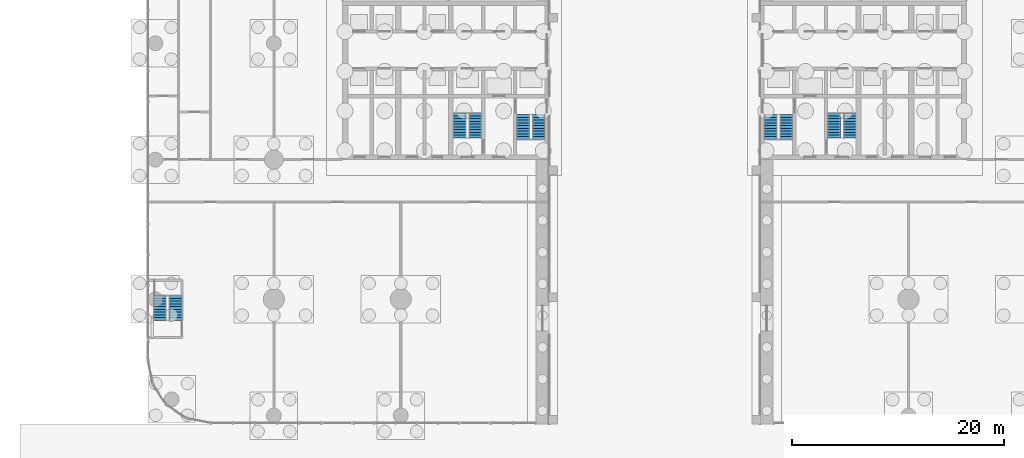
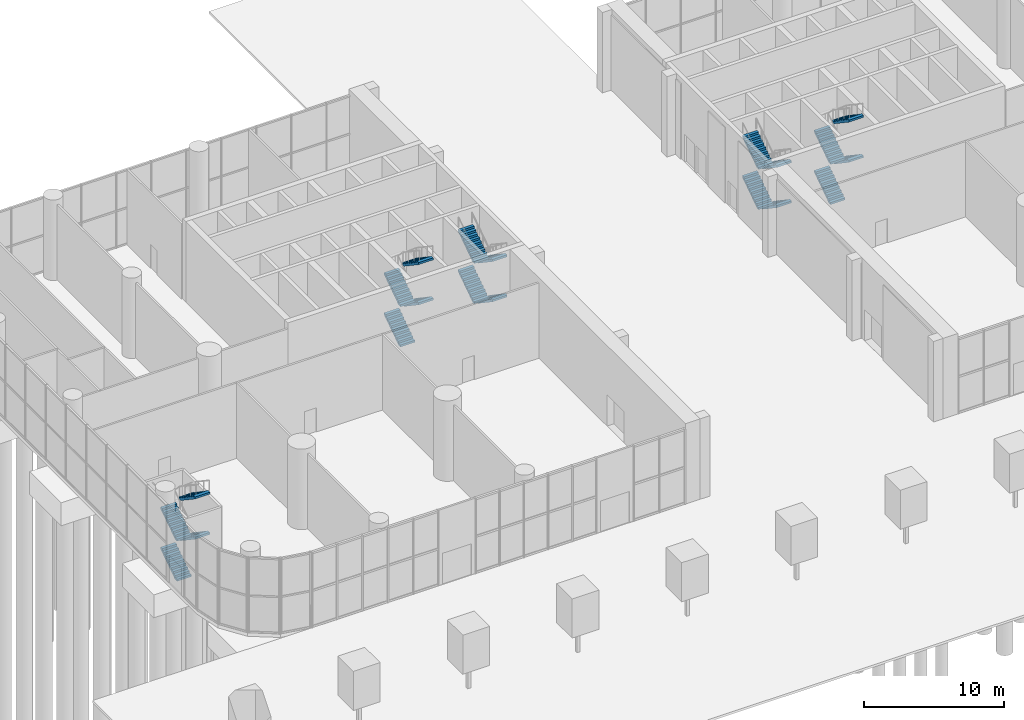
# One storey, part 22 of 26: 20 stair flights, 5 elements without a shape of their own.
"""IFC4 building model written with IfcOpenShell, lengths in metres."""

from ifc_helpers import new_model, si_unit, direction, frame, origin, place, context, subcontext, project, spatial, polyline, outline, extrude, material, type_object, element, aggregate, save


model = new_model("IFC4")

# Units and contexts
model_context = context("Model", 3, precision=1e-05, world=origin(), true_north=direction((0.0, 1.0)))
body_context = subcontext(model_context, "Body", "Model", "MODEL_VIEW")
ifc_project = project(units=[si_unit("LENGTHUNIT", "METRE"), si_unit("AREAUNIT", "SQUARE_METRE"), si_unit("VOLUMEUNIT", "CUBIC_METRE"), si_unit("PLANEANGLEUNIT", "RADIAN"), si_unit("MASSUNIT", "GRAM", prefix="KILO")], contexts=[model_context])

# Site, building, storey
site_placement = place(None, origin())
site = spatial("IfcSite", under=ifc_project, at=site_placement, CompositionType="ELEMENT")
building_placement = place(site_placement, origin())
building = spatial("IfcBuilding", under=site, at=building_placement, Name="Torana Hotel and Residences", CompositionType="ELEMENT")
storey_placement = place(building_placement, origin())
storey = spatial("IfcBuildingStorey", under=building, at=storey_placement, Name="L00", CompositionType="ELEMENT", Elevation=0.0)

# Stair, stair flights
ifc_material_1 = material(Name="Concrete C40/50 precast", Category="concrete")
stair_type_1 = type_object("IfcStairType", Name="STAIR ST1 HALF TURN 1200", PredefinedType="HALF_TURN_STAIR", material=ifc_material_1)
stair_1_placement = place(storey_placement, origin())
stair_1 = element("IfcStair", 1, at=stair_1_placement, inside=storey, type_object=stair_type_1, Name="Stair ST1 L00", PredefinedType="HALF_TURN_STAIR")
ifc_material_2 = material(Name="Concrete C40/50 precast", Category="concrete")
stair_flight_type = type_object("IfcStairFlightType", Name="STAIR FLIGHT 1200 PRECAST", PredefinedType="STRAIGHT", material=ifc_material_2)
stair_flight_1_placement = place(storey_placement, frame((-10.949951171875, -10.75, 0.0), z_axis=(0.0, 0.0, 1.0), x_axis=(0.0, -1.0, 0.0)))
stair_flight_1 = element("IfcStairFlight", 2, at=stair_flight_1_placement, type_object=stair_flight_type, Name="ST1 flight 1", NumberOfRisers=10, NumberOfTreads=9, PredefinedType="STRAIGHT", RiserHeight=0.175, TreadLength=0.26, context=body_context, shape_type="SweptSolid", body=[
    extrude(outline(polyline([(0.0, 0.0), (0.0, 0.175048828125), (0.260009765625, 0.175048828125), (0.260009765625, 0.35009765625), (0.52001953125, 0.35009765625), (0.52001953125, 0.52490234375), (0.780029296875, 0.52490234375), (0.780029296875, 0.699951171875), (1.0400390625, 0.699951171875), (1.0400390625, 0.875), (1.300048828125, 0.875), (1.300048828125, 1.050048828125), (1.56005859375, 1.050048828125), (1.56005859375, 1.22509765625), (1.820068359375, 1.22509765625), (1.820068359375, 1.39990234375), (2.080078125, 1.39990234375), (2.080078125, 1.574951171875), (2.340087890625, 1.574951171875), (2.340087890625, 1.75), (2.340087890625, 1.394287109375), (0.2685546875, 0.0), (0.0, 0.0)])), frame((0.0, 0.60009765625, 0.0), z_axis=(0.0, -1.0, 0.0), x_axis=(1.0, 0.0, 0.0)), (0.0, 0.0, 1.0), 1.199951171875),
])
stair_flight_2_placement = place(storey_placement, frame((-12.449951171875, -13.090087890625, 1.75), z_axis=(0.0, 0.0, 1.0), x_axis=(0.0, 1.0, 0.0)))
stair_flight_2 = element("IfcStairFlight", 3, at=stair_flight_2_placement, type_object=stair_flight_type, Name="ST1 flight 2", NumberOfRisers=10, NumberOfTreads=9, PredefinedType="STRAIGHT", RiserHeight=0.175, TreadLength=0.26, context=body_context, shape_type="SweptSolid", body=[
    extrude(outline(polyline([(0.0, 0.0), (0.0, 0.175048828125), (0.260009765625, 0.175048828125), (0.260009765625, 0.35009765625), (0.52001953125, 0.35009765625), (0.52001953125, 0.52490234375), (0.780029296875, 0.52490234375), (0.780029296875, 0.699951171875), (1.0400390625, 0.699951171875), (1.0400390625, 0.875), (1.300048828125, 0.875), (1.300048828125, 1.050048828125), (1.56005859375, 1.050048828125), (1.56005859375, 1.22509765625), (1.820068359375, 1.22509765625), (1.820068359375, 1.39990234375), (2.080078125, 1.39990234375), (2.080078125, 1.574951171875), (2.340087890625, 1.574951171875), (2.340087890625, 1.75), (2.340087890625, 1.394287109375), (0.2685546875, 0.0), (0.0, 0.0)])), frame((0.0, 0.60009765625, 0.0), z_axis=(0.0, -1.0, 0.0), x_axis=(1.0, 0.0, 0.0)), (0.0, 0.0, 1.0), 1.199951171875),
])
stair_flight_3_placement = place(storey_placement, frame((-10.949951171875, -10.75, 3.5), z_axis=(0.0, 0.0, 1.0), x_axis=(0.0, -1.0, 0.0)))
stair_flight_3 = element("IfcStairFlight", 4, at=stair_flight_3_placement, type_object=stair_flight_type, Name="ST1 flight 3", NumberOfRisers=10, NumberOfTreads=9, PredefinedType="STRAIGHT", RiserHeight=0.175, TreadLength=0.26, context=body_context, shape_type="SweptSolid", body=[
    extrude(outline(polyline([(0.0, 0.0), (0.0, 0.175048828125), (0.260009765625, 0.175048828125), (0.260009765625, 0.35009765625), (0.52001953125, 0.35009765625), (0.52001953125, 0.52490234375), (0.780029296875, 0.52490234375), (0.780029296875, 0.699951171875), (1.0400390625, 0.699951171875), (1.0400390625, 0.875), (1.300048828125, 0.875), (1.300048828125, 1.050048828125), (1.56005859375, 1.050048828125), (1.56005859375, 1.22509765625), (1.820068359375, 1.22509765625), (1.820068359375, 1.39990234375), (2.080078125, 1.39990234375), (2.080078125, 1.574951171875), (2.340087890625, 1.574951171875), (2.340087890625, 1.75), (2.340087890625, 1.394287109375), (0.2685546875, 0.0), (0.0, 0.0)])), frame((0.0, 0.60009765625, 0.0), z_axis=(0.0, -1.0, 0.0), x_axis=(1.0, 0.0, 0.0)), (0.0, 0.0, 1.0), 1.199951171875),
])
stair_flight_4_placement = place(storey_placement, frame((-12.449951171875, -13.090087890625, 5.25), z_axis=(0.0, 0.0, 1.0), x_axis=(0.0, 1.0, 0.0)))
stair_flight_4 = element("IfcStairFlight", 5, at=stair_flight_4_placement, type_object=stair_flight_type, Name="ST1 flight 4", NumberOfRisers=10, NumberOfTreads=9, PredefinedType="STRAIGHT", RiserHeight=0.175, TreadLength=0.26, context=body_context, shape_type="SweptSolid", body=[
    extrude(outline(polyline([(0.0, 0.0), (0.0, 0.175048828125), (0.260009765625, 0.175048828125), (0.260009765625, 0.35009765625), (0.52001953125, 0.35009765625), (0.52001953125, 0.52490234375), (0.780029296875, 0.52490234375), (0.780029296875, 0.699951171875), (1.0400390625, 0.699951171875), (1.0400390625, 0.875), (1.300048828125, 0.875), (1.300048828125, 1.050048828125), (1.56005859375, 1.050048828125), (1.56005859375, 1.22509765625), (1.820068359375, 1.22509765625), (1.820068359375, 1.39990234375), (2.080078125, 1.39990234375), (2.080078125, 1.574951171875), (2.340087890625, 1.574951171875), (2.340087890625, 1.75), (2.340087890625, 1.394287109375), (0.2685546875, 0.0), (0.0, 0.0)])), frame((0.0, 0.60009765625, 0.0), z_axis=(0.0, -1.0, 0.0), x_axis=(1.0, 0.0, 0.0)), (0.0, 0.0, 1.0), 1.199951171875),
])
aggregate(stair_1, [stair_flight_1, stair_flight_2, stair_flight_3, stair_flight_4])

ifc_material_3 = material(Name="Concrete C40/50 precast", Category="concrete")
stair_type_2 = type_object("IfcStairType", Name="STAIR ST2 HALF TURN 1200", PredefinedType="HALF_TURN_STAIR", material=ifc_material_3)
stair_2_placement = place(storey_placement, origin())
stair_2 = element("IfcStair", 6, at=stair_2_placement, inside=storey, type_object=stair_type_2, Name="Stair ST2 L00", PredefinedType="HALF_TURN_STAIR")
stair_flight_5_placement = place(storey_placement, frame((-18.449951171875, -12.949951171875, 0.0), z_axis=(0.0, 0.0, 1.0), x_axis=(0.0, 1.0, 0.0)))
stair_flight_5 = element("IfcStairFlight", 7, at=stair_flight_5_placement, type_object=stair_flight_type, Name="ST2 flight 1", NumberOfRisers=10, NumberOfTreads=9, PredefinedType="STRAIGHT", RiserHeight=0.175, TreadLength=0.26, context=body_context, shape_type="SweptSolid", body=[
    extrude(outline(polyline([(0.0, 0.0), (0.0, 0.175048828125), (0.260009765625, 0.175048828125), (0.260009765625, 0.35009765625), (0.52001953125, 0.35009765625), (0.52001953125, 0.52490234375), (0.780029296875, 0.52490234375), (0.780029296875, 0.699951171875), (1.0400390625, 0.699951171875), (1.0400390625, 0.875), (1.300048828125, 0.875), (1.300048828125, 1.050048828125), (1.56005859375, 1.050048828125), (1.56005859375, 1.22509765625), (1.820068359375, 1.22509765625), (1.820068359375, 1.39990234375), (2.080078125, 1.39990234375), (2.080078125, 1.574951171875), (2.340087890625, 1.574951171875), (2.340087890625, 1.75), (2.340087890625, 1.394287109375), (0.2685546875, 0.0), (0.0, 0.0)])), frame((0.0, 0.60009765625, 0.0), z_axis=(0.0, -1.0, 0.0), x_axis=(1.0, 0.0, 0.0)), (0.0, 0.0, 1.0), 1.199951171875),
])
stair_flight_6_placement = place(storey_placement, frame((-16.949951171875, -10.610107421875, 1.75), z_axis=(0.0, 0.0, 1.0), x_axis=(0.0, -1.0, 0.0)))
stair_flight_6 = element("IfcStairFlight", 8, at=stair_flight_6_placement, type_object=stair_flight_type, Name="ST2 flight 2", NumberOfRisers=10, NumberOfTreads=9, PredefinedType="STRAIGHT", RiserHeight=0.175, TreadLength=0.26, context=body_context, shape_type="SweptSolid", body=[
    extrude(outline(polyline([(0.0, 0.0), (0.0, 0.175048828125), (0.260009765625, 0.175048828125), (0.260009765625, 0.35009765625), (0.52001953125, 0.35009765625), (0.52001953125, 0.52490234375), (0.780029296875, 0.52490234375), (0.780029296875, 0.699951171875), (1.0400390625, 0.699951171875), (1.0400390625, 0.875), (1.300048828125, 0.875), (1.300048828125, 1.050048828125), (1.56005859375, 1.050048828125), (1.56005859375, 1.22509765625), (1.820068359375, 1.22509765625), (1.820068359375, 1.39990234375), (2.080078125, 1.39990234375), (2.080078125, 1.574951171875), (2.340087890625, 1.574951171875), (2.340087890625, 1.75), (2.340087890625, 1.394287109375), (0.2685546875, 0.0), (0.0, 0.0)])), frame((0.0, 0.60009765625, 0.0), z_axis=(0.0, -1.0, 0.0), x_axis=(1.0, 0.0, 0.0)), (0.0, 0.0, 1.0), 1.199951171875),
])
stair_flight_7_placement = place(storey_placement, frame((-18.449951171875, -12.949951171875, 3.5), z_axis=(0.0, 0.0, 1.0), x_axis=(0.0, 1.0, 0.0)))
stair_flight_7 = element("IfcStairFlight", 9, at=stair_flight_7_placement, type_object=stair_flight_type, Name="ST2 flight 3", NumberOfRisers=10, NumberOfTreads=9, PredefinedType="STRAIGHT", RiserHeight=0.175, TreadLength=0.26, context=body_context, shape_type="SweptSolid", body=[
    extrude(outline(polyline([(0.0, 0.0), (0.0, 0.175048828125), (0.260009765625, 0.175048828125), (0.260009765625, 0.35009765625), (0.52001953125, 0.35009765625), (0.52001953125, 0.52490234375), (0.780029296875, 0.52490234375), (0.780029296875, 0.699951171875), (1.0400390625, 0.699951171875), (1.0400390625, 0.875), (1.300048828125, 0.875), (1.300048828125, 1.050048828125), (1.56005859375, 1.050048828125), (1.56005859375, 1.22509765625), (1.820068359375, 1.22509765625), (1.820068359375, 1.39990234375), (2.080078125, 1.39990234375), (2.080078125, 1.574951171875), (2.340087890625, 1.574951171875), (2.340087890625, 1.75), (2.340087890625, 1.394287109375), (0.2685546875, 0.0), (0.0, 0.0)])), frame((0.0, 0.60009765625, 0.0), z_axis=(0.0, -1.0, 0.0), x_axis=(1.0, 0.0, 0.0)), (0.0, 0.0, 1.0), 1.199951171875),
])
stair_flight_8_placement = place(storey_placement, frame((-16.949951171875, -10.610107421875, 5.25), z_axis=(0.0, 0.0, 1.0), x_axis=(0.0, -1.0, 0.0)))
stair_flight_8 = element("IfcStairFlight", 10, at=stair_flight_8_placement, type_object=stair_flight_type, Name="ST2 flight 4", NumberOfRisers=10, NumberOfTreads=9, PredefinedType="STRAIGHT", RiserHeight=0.175, TreadLength=0.26, context=body_context, shape_type="SweptSolid", body=[
    extrude(outline(polyline([(0.0, 0.0), (0.0, 0.175048828125), (0.260009765625, 0.175048828125), (0.260009765625, 0.35009765625), (0.52001953125, 0.35009765625), (0.52001953125, 0.52490234375), (0.780029296875, 0.52490234375), (0.780029296875, 0.699951171875), (1.0400390625, 0.699951171875), (1.0400390625, 0.875), (1.300048828125, 0.875), (1.300048828125, 1.050048828125), (1.56005859375, 1.050048828125), (1.56005859375, 1.22509765625), (1.820068359375, 1.22509765625), (1.820068359375, 1.39990234375), (2.080078125, 1.39990234375), (2.080078125, 1.574951171875), (2.340087890625, 1.574951171875), (2.340087890625, 1.75), (2.340087890625, 1.394287109375), (0.2685546875, 0.0), (0.0, 0.0)])), frame((0.0, 0.60009765625, 0.0), z_axis=(0.0, -1.0, 0.0), x_axis=(1.0, 0.0, 0.0)), (0.0, 0.0, 1.0), 1.199951171875),
])
aggregate(stair_2, [stair_flight_5, stair_flight_6, stair_flight_7, stair_flight_8])

ifc_material_4 = material(Name="Concrete C40/50 precast", Category="concrete")
stair_type_3 = type_object("IfcStairType", Name="STAIR ST3 HALF TURN 1200", PredefinedType="HALF_TURN_STAIR", material=ifc_material_4)
stair_3_placement = place(storey_placement, origin())
stair_3 = element("IfcStair", 11, at=stair_3_placement, inside=storey, type_object=stair_type_3, Name="Stair ST3 L00", PredefinedType="HALF_TURN_STAIR")
stair_flight_9_placement = place(storey_placement, frame((12.449951171875, -10.75, 0.0), z_axis=(0.0, 0.0, 1.0), x_axis=(0.0, -1.0, 0.0)))
stair_flight_9 = element("IfcStairFlight", 12, at=stair_flight_9_placement, type_object=stair_flight_type, Name="ST3 flight 1", NumberOfRisers=10, NumberOfTreads=9, PredefinedType="STRAIGHT", RiserHeight=0.175, TreadLength=0.26, context=body_context, shape_type="SweptSolid", body=[
    extrude(outline(polyline([(0.0, 0.0), (0.0, 0.175048828125), (0.260009765625, 0.175048828125), (0.260009765625, 0.35009765625), (0.52001953125, 0.35009765625), (0.52001953125, 0.52490234375), (0.780029296875, 0.52490234375), (0.780029296875, 0.699951171875), (1.0400390625, 0.699951171875), (1.0400390625, 0.875), (1.300048828125, 0.875), (1.300048828125, 1.050048828125), (1.56005859375, 1.050048828125), (1.56005859375, 1.22509765625), (1.820068359375, 1.22509765625), (1.820068359375, 1.39990234375), (2.080078125, 1.39990234375), (2.080078125, 1.574951171875), (2.340087890625, 1.574951171875), (2.340087890625, 1.75), (2.340087890625, 1.394287109375), (0.2685546875, 0.0), (0.0, 0.0)])), frame((0.0, 0.60009765625, 0.0), z_axis=(0.0, -1.0, 0.0), x_axis=(1.0, 0.0, 0.0)), (0.0, 0.0, 1.0), 1.199951171875),
])
stair_flight_10_placement = place(storey_placement, frame((10.949951171875, -13.090087890625, 1.75), z_axis=(0.0, 0.0, 1.0), x_axis=(0.0, 1.0, 0.0)))
stair_flight_10 = element("IfcStairFlight", 13, at=stair_flight_10_placement, type_object=stair_flight_type, Name="ST3 flight 2", NumberOfRisers=10, NumberOfTreads=9, PredefinedType="STRAIGHT", RiserHeight=0.175, TreadLength=0.26, context=body_context, shape_type="SweptSolid", body=[
    extrude(outline(polyline([(0.0, 0.0), (0.0, 0.175048828125), (0.260009765625, 0.175048828125), (0.260009765625, 0.35009765625), (0.52001953125, 0.35009765625), (0.52001953125, 0.52490234375), (0.780029296875, 0.52490234375), (0.780029296875, 0.699951171875), (1.0400390625, 0.699951171875), (1.0400390625, 0.875), (1.300048828125, 0.875), (1.300048828125, 1.050048828125), (1.56005859375, 1.050048828125), (1.56005859375, 1.22509765625), (1.820068359375, 1.22509765625), (1.820068359375, 1.39990234375), (2.080078125, 1.39990234375), (2.080078125, 1.574951171875), (2.340087890625, 1.574951171875), (2.340087890625, 1.75), (2.340087890625, 1.394287109375), (0.2685546875, 0.0), (0.0, 0.0)])), frame((0.0, 0.60009765625, 0.0), z_axis=(0.0, -1.0, 0.0), x_axis=(1.0, 0.0, 0.0)), (0.0, 0.0, 1.0), 1.199951171875),
])
stair_flight_11_placement = place(storey_placement, frame((12.449951171875, -10.75, 3.5), z_axis=(0.0, 0.0, 1.0), x_axis=(0.0, -1.0, 0.0)))
stair_flight_11 = element("IfcStairFlight", 14, at=stair_flight_11_placement, type_object=stair_flight_type, Name="ST3 flight 3", NumberOfRisers=10, NumberOfTreads=9, PredefinedType="STRAIGHT", RiserHeight=0.175, TreadLength=0.26, context=body_context, shape_type="SweptSolid", body=[
    extrude(outline(polyline([(0.0, 0.0), (0.0, 0.175048828125), (0.260009765625, 0.175048828125), (0.260009765625, 0.35009765625), (0.52001953125, 0.35009765625), (0.52001953125, 0.52490234375), (0.780029296875, 0.52490234375), (0.780029296875, 0.699951171875), (1.0400390625, 0.699951171875), (1.0400390625, 0.875), (1.300048828125, 0.875), (1.300048828125, 1.050048828125), (1.56005859375, 1.050048828125), (1.56005859375, 1.22509765625), (1.820068359375, 1.22509765625), (1.820068359375, 1.39990234375), (2.080078125, 1.39990234375), (2.080078125, 1.574951171875), (2.340087890625, 1.574951171875), (2.340087890625, 1.75), (2.340087890625, 1.394287109375), (0.2685546875, 0.0), (0.0, 0.0)])), frame((0.0, 0.60009765625, 0.0), z_axis=(0.0, -1.0, 0.0), x_axis=(1.0, 0.0, 0.0)), (0.0, 0.0, 1.0), 1.199951171875),
])
stair_flight_12_placement = place(storey_placement, frame((10.949951171875, -13.090087890625, 5.25), z_axis=(0.0, 0.0, 1.0), x_axis=(0.0, 1.0, 0.0)))
stair_flight_12 = element("IfcStairFlight", 15, at=stair_flight_12_placement, type_object=stair_flight_type, Name="ST3 flight 4", NumberOfRisers=10, NumberOfTreads=9, PredefinedType="STRAIGHT", RiserHeight=0.175, TreadLength=0.26, context=body_context, shape_type="SweptSolid", body=[
    extrude(outline(polyline([(0.0, 0.0), (0.0, 0.175048828125), (0.260009765625, 0.175048828125), (0.260009765625, 0.35009765625), (0.52001953125, 0.35009765625), (0.52001953125, 0.52490234375), (0.780029296875, 0.52490234375), (0.780029296875, 0.699951171875), (1.0400390625, 0.699951171875), (1.0400390625, 0.875), (1.300048828125, 0.875), (1.300048828125, 1.050048828125), (1.56005859375, 1.050048828125), (1.56005859375, 1.22509765625), (1.820068359375, 1.22509765625), (1.820068359375, 1.39990234375), (2.080078125, 1.39990234375), (2.080078125, 1.574951171875), (2.340087890625, 1.574951171875), (2.340087890625, 1.75), (2.340087890625, 1.394287109375), (0.2685546875, 0.0), (0.0, 0.0)])), frame((0.0, 0.60009765625, 0.0), z_axis=(0.0, -1.0, 0.0), x_axis=(1.0, 0.0, 0.0)), (0.0, 0.0, 1.0), 1.199951171875),
])
aggregate(stair_3, [stair_flight_9, stair_flight_10, stair_flight_11, stair_flight_12])

ifc_material_5 = material(Name="Concrete C40/50 precast", Category="concrete")
stair_type_4 = type_object("IfcStairType", Name="STAIR ST4 HALF TURN 1200", PredefinedType="HALF_TURN_STAIR", material=ifc_material_5)
stair_4_placement = place(storey_placement, origin())
stair_4 = element("IfcStair", 16, at=stair_4_placement, inside=storey, type_object=stair_type_4, Name="Stair ST4 L00", PredefinedType="HALF_TURN_STAIR")
stair_flight_13_placement = place(storey_placement, frame((16.949951171875, -12.949951171875, 0.0), z_axis=(0.0, 0.0, 1.0), x_axis=(0.0, 1.0, 0.0)))
stair_flight_13 = element("IfcStairFlight", 17, at=stair_flight_13_placement, type_object=stair_flight_type, Name="ST4 flight 1", NumberOfRisers=10, NumberOfTreads=9, PredefinedType="STRAIGHT", RiserHeight=0.175, TreadLength=0.26, context=body_context, shape_type="SweptSolid", body=[
    extrude(outline(polyline([(0.0, 0.0), (0.0, 0.175048828125), (0.260009765625, 0.175048828125), (0.260009765625, 0.35009765625), (0.52001953125, 0.35009765625), (0.52001953125, 0.52490234375), (0.780029296875, 0.52490234375), (0.780029296875, 0.699951171875), (1.0400390625, 0.699951171875), (1.0400390625, 0.875), (1.300048828125, 0.875), (1.300048828125, 1.050048828125), (1.56005859375, 1.050048828125), (1.56005859375, 1.22509765625), (1.820068359375, 1.22509765625), (1.820068359375, 1.39990234375), (2.080078125, 1.39990234375), (2.080078125, 1.574951171875), (2.340087890625, 1.574951171875), (2.340087890625, 1.75), (2.340087890625, 1.394287109375), (0.2685546875, 0.0), (0.0, 0.0)])), frame((0.0, 0.60009765625, 0.0), z_axis=(0.0, -1.0, 0.0), x_axis=(1.0, 0.0, 0.0)), (0.0, 0.0, 1.0), 1.199951171875),
])
stair_flight_14_placement = place(storey_placement, frame((18.449951171875, -10.610107421875, 1.75), z_axis=(0.0, 0.0, 1.0), x_axis=(0.0, -1.0, 0.0)))
stair_flight_14 = element("IfcStairFlight", 18, at=stair_flight_14_placement, type_object=stair_flight_type, Name="ST4 flight 2", NumberOfRisers=10, NumberOfTreads=9, PredefinedType="STRAIGHT", RiserHeight=0.175, TreadLength=0.26, context=body_context, shape_type="SweptSolid", body=[
    extrude(outline(polyline([(0.0, 0.0), (0.0, 0.175048828125), (0.260009765625, 0.175048828125), (0.260009765625, 0.35009765625), (0.52001953125, 0.35009765625), (0.52001953125, 0.52490234375), (0.780029296875, 0.52490234375), (0.780029296875, 0.699951171875), (1.0400390625, 0.699951171875), (1.0400390625, 0.875), (1.300048828125, 0.875), (1.300048828125, 1.050048828125), (1.56005859375, 1.050048828125), (1.56005859375, 1.22509765625), (1.820068359375, 1.22509765625), (1.820068359375, 1.39990234375), (2.080078125, 1.39990234375), (2.080078125, 1.574951171875), (2.340087890625, 1.574951171875), (2.340087890625, 1.75), (2.340087890625, 1.394287109375), (0.2685546875, 0.0), (0.0, 0.0)])), frame((0.0, 0.60009765625, 0.0), z_axis=(0.0, -1.0, 0.0), x_axis=(1.0, 0.0, 0.0)), (0.0, 0.0, 1.0), 1.199951171875),
])
stair_flight_15_placement = place(storey_placement, frame((16.949951171875, -12.949951171875, 3.5), z_axis=(0.0, 0.0, 1.0), x_axis=(0.0, 1.0, 0.0)))
stair_flight_15 = element("IfcStairFlight", 19, at=stair_flight_15_placement, type_object=stair_flight_type, Name="ST4 flight 3", NumberOfRisers=10, NumberOfTreads=9, PredefinedType="STRAIGHT", RiserHeight=0.175, TreadLength=0.26, context=body_context, shape_type="SweptSolid", body=[
    extrude(outline(polyline([(0.0, 0.0), (0.0, 0.175048828125), (0.260009765625, 0.175048828125), (0.260009765625, 0.35009765625), (0.52001953125, 0.35009765625), (0.52001953125, 0.52490234375), (0.780029296875, 0.52490234375), (0.780029296875, 0.699951171875), (1.0400390625, 0.699951171875), (1.0400390625, 0.875), (1.300048828125, 0.875), (1.300048828125, 1.050048828125), (1.56005859375, 1.050048828125), (1.56005859375, 1.22509765625), (1.820068359375, 1.22509765625), (1.820068359375, 1.39990234375), (2.080078125, 1.39990234375), (2.080078125, 1.574951171875), (2.340087890625, 1.574951171875), (2.340087890625, 1.75), (2.340087890625, 1.394287109375), (0.2685546875, 0.0), (0.0, 0.0)])), frame((0.0, 0.60009765625, 0.0), z_axis=(0.0, -1.0, 0.0), x_axis=(1.0, 0.0, 0.0)), (0.0, 0.0, 1.0), 1.199951171875),
])
stair_flight_16_placement = place(storey_placement, frame((18.449951171875, -10.610107421875, 5.25), z_axis=(0.0, 0.0, 1.0), x_axis=(0.0, -1.0, 0.0)))
stair_flight_16 = element("IfcStairFlight", 20, at=stair_flight_16_placement, type_object=stair_flight_type, Name="ST4 flight 4", NumberOfRisers=10, NumberOfTreads=9, PredefinedType="STRAIGHT", RiserHeight=0.175, TreadLength=0.26, context=body_context, shape_type="SweptSolid", body=[
    extrude(outline(polyline([(0.0, 0.0), (0.0, 0.175048828125), (0.260009765625, 0.175048828125), (0.260009765625, 0.35009765625), (0.52001953125, 0.35009765625), (0.52001953125, 0.52490234375), (0.780029296875, 0.52490234375), (0.780029296875, 0.699951171875), (1.0400390625, 0.699951171875), (1.0400390625, 0.875), (1.300048828125, 0.875), (1.300048828125, 1.050048828125), (1.56005859375, 1.050048828125), (1.56005859375, 1.22509765625), (1.820068359375, 1.22509765625), (1.820068359375, 1.39990234375), (2.080078125, 1.39990234375), (2.080078125, 1.574951171875), (2.340087890625, 1.574951171875), (2.340087890625, 1.75), (2.340087890625, 1.394287109375), (0.2685546875, 0.0), (0.0, 0.0)])), frame((0.0, 0.60009765625, 0.0), z_axis=(0.0, -1.0, 0.0), x_axis=(1.0, 0.0, 0.0)), (0.0, 0.0, 1.0), 1.199951171875),
])
aggregate(stair_4, [stair_flight_13, stair_flight_14, stair_flight_15, stair_flight_16])

ifc_material_6 = material(Name="Concrete C40/50 precast", Category="concrete")
stair_type_5 = type_object("IfcStairType", Name="STAIR ST5 HALF TURN 1200", PredefinedType="HALF_TURN_STAIR", material=ifc_material_6)
stair_5_placement = place(storey_placement, origin())
stair_5 = element("IfcStair", 21, at=stair_5_placement, inside=storey, type_object=stair_type_5, Name="Stair ST5 L00", PredefinedType="HALF_TURN_STAIR")
stair_flight_17_placement = place(storey_placement, frame((-46.800048828125, -30.199951171875, 0.0), z_axis=(0.0, 0.0, 1.0), x_axis=(0.0, 1.0, 0.0)))
stair_flight_17 = element("IfcStairFlight", 22, at=stair_flight_17_placement, type_object=stair_flight_type, Name="ST5 flight 1", NumberOfRisers=10, NumberOfTreads=9, PredefinedType="STRAIGHT", RiserHeight=0.175, TreadLength=0.26, context=body_context, shape_type="SweptSolid", body=[
    extrude(outline(polyline([(0.0, 0.0), (0.0, 0.175048828125), (0.260009765625, 0.175048828125), (0.260009765625, 0.35009765625), (0.52001953125, 0.35009765625), (0.52001953125, 0.52490234375), (0.780029296875, 0.52490234375), (0.780029296875, 0.699951171875), (1.0400390625, 0.699951171875), (1.0400390625, 0.875), (1.300048828125, 0.875), (1.300048828125, 1.050048828125), (1.56005859375, 1.050048828125), (1.56005859375, 1.22509765625), (1.820068359375, 1.22509765625), (1.820068359375, 1.39990234375), (2.080078125, 1.39990234375), (2.080078125, 1.574951171875), (2.340087890625, 1.574951171875), (2.340087890625, 1.75), (2.340087890625, 1.394287109375), (0.2685546875, 0.0), (0.0, 0.0)])), frame((0.0, 0.60009765625, 0.0), z_axis=(0.0, -1.0, 0.0), x_axis=(1.0, 0.0, 0.0)), (0.0, 0.0, 1.0), 1.199951171875),
])
stair_flight_18_placement = place(storey_placement, frame((-45.300048828125, -27.860107421875, 1.75), z_axis=(0.0, 0.0, 1.0), x_axis=(0.0, -1.0, 0.0)))
stair_flight_18 = element("IfcStairFlight", 23, at=stair_flight_18_placement, type_object=stair_flight_type, Name="ST5 flight 2", NumberOfRisers=10, NumberOfTreads=9, PredefinedType="STRAIGHT", RiserHeight=0.175, TreadLength=0.26, context=body_context, shape_type="SweptSolid", body=[
    extrude(outline(polyline([(0.0, 0.0), (0.0, 0.175048828125), (0.260009765625, 0.175048828125), (0.260009765625, 0.35009765625), (0.52001953125, 0.35009765625), (0.52001953125, 0.52490234375), (0.780029296875, 0.52490234375), (0.780029296875, 0.699951171875), (1.0400390625, 0.699951171875), (1.0400390625, 0.875), (1.300048828125, 0.875), (1.300048828125, 1.050048828125), (1.56005859375, 1.050048828125), (1.56005859375, 1.22509765625), (1.820068359375, 1.22509765625), (1.820068359375, 1.39990234375), (2.080078125, 1.39990234375), (2.080078125, 1.574951171875), (2.340087890625, 1.574951171875), (2.340087890625, 1.75), (2.340087890625, 1.394287109375), (0.2685546875, 0.0), (0.0, 0.0)])), frame((0.0, 0.60009765625, 0.0), z_axis=(0.0, -1.0, 0.0), x_axis=(1.0, 0.0, 0.0)), (0.0, 0.0, 1.0), 1.199951171875),
])
stair_flight_19_placement = place(storey_placement, frame((-46.800048828125, -30.199951171875, 3.5), z_axis=(0.0, 0.0, 1.0), x_axis=(0.0, 1.0, 0.0)))
stair_flight_19 = element("IfcStairFlight", 24, at=stair_flight_19_placement, type_object=stair_flight_type, Name="ST5 flight 3", NumberOfRisers=10, NumberOfTreads=9, PredefinedType="STRAIGHT", RiserHeight=0.175, TreadLength=0.26, context=body_context, shape_type="SweptSolid", body=[
    extrude(outline(polyline([(0.0, 0.0), (0.0, 0.175048828125), (0.260009765625, 0.175048828125), (0.260009765625, 0.35009765625), (0.52001953125, 0.35009765625), (0.52001953125, 0.52490234375), (0.780029296875, 0.52490234375), (0.780029296875, 0.699951171875), (1.0400390625, 0.699951171875), (1.0400390625, 0.875), (1.300048828125, 0.875), (1.300048828125, 1.050048828125), (1.56005859375, 1.050048828125), (1.56005859375, 1.22509765625), (1.820068359375, 1.22509765625), (1.820068359375, 1.39990234375), (2.080078125, 1.39990234375), (2.080078125, 1.574951171875), (2.340087890625, 1.574951171875), (2.340087890625, 1.75), (2.340087890625, 1.394287109375), (0.2685546875, 0.0), (0.0, 0.0)])), frame((0.0, 0.60009765625, 0.0), z_axis=(0.0, -1.0, 0.0), x_axis=(1.0, 0.0, 0.0)), (0.0, 0.0, 1.0), 1.199951171875),
])
stair_flight_20_placement = place(storey_placement, frame((-45.300048828125, -27.860107421875, 5.25), z_axis=(0.0, 0.0, 1.0), x_axis=(0.0, -1.0, 0.0)))
stair_flight_20 = element("IfcStairFlight", 25, at=stair_flight_20_placement, type_object=stair_flight_type, Name="ST5 flight 4", NumberOfRisers=10, NumberOfTreads=9, PredefinedType="STRAIGHT", RiserHeight=0.175, TreadLength=0.26, context=body_context, shape_type="SweptSolid", body=[
    extrude(outline(polyline([(0.0, 0.0), (0.0, 0.175048828125), (0.260009765625, 0.175048828125), (0.260009765625, 0.35009765625), (0.52001953125, 0.35009765625), (0.52001953125, 0.52490234375), (0.780029296875, 0.52490234375), (0.780029296875, 0.699951171875), (1.0400390625, 0.699951171875), (1.0400390625, 0.875), (1.300048828125, 0.875), (1.300048828125, 1.050048828125), (1.56005859375, 1.050048828125), (1.56005859375, 1.22509765625), (1.820068359375, 1.22509765625), (1.820068359375, 1.39990234375), (2.080078125, 1.39990234375), (2.080078125, 1.574951171875), (2.340087890625, 1.574951171875), (2.340087890625, 1.75), (2.340087890625, 1.394287109375), (0.2685546875, 0.0), (0.0, 0.0)])), frame((0.0, 0.60009765625, 0.0), z_axis=(0.0, -1.0, 0.0), x_axis=(1.0, 0.0, 0.0)), (0.0, 0.0, 1.0), 1.199951171875),
])
aggregate(stair_5, [stair_flight_17, stair_flight_18, stair_flight_19, stair_flight_20])

save(model, "model.ifc")
